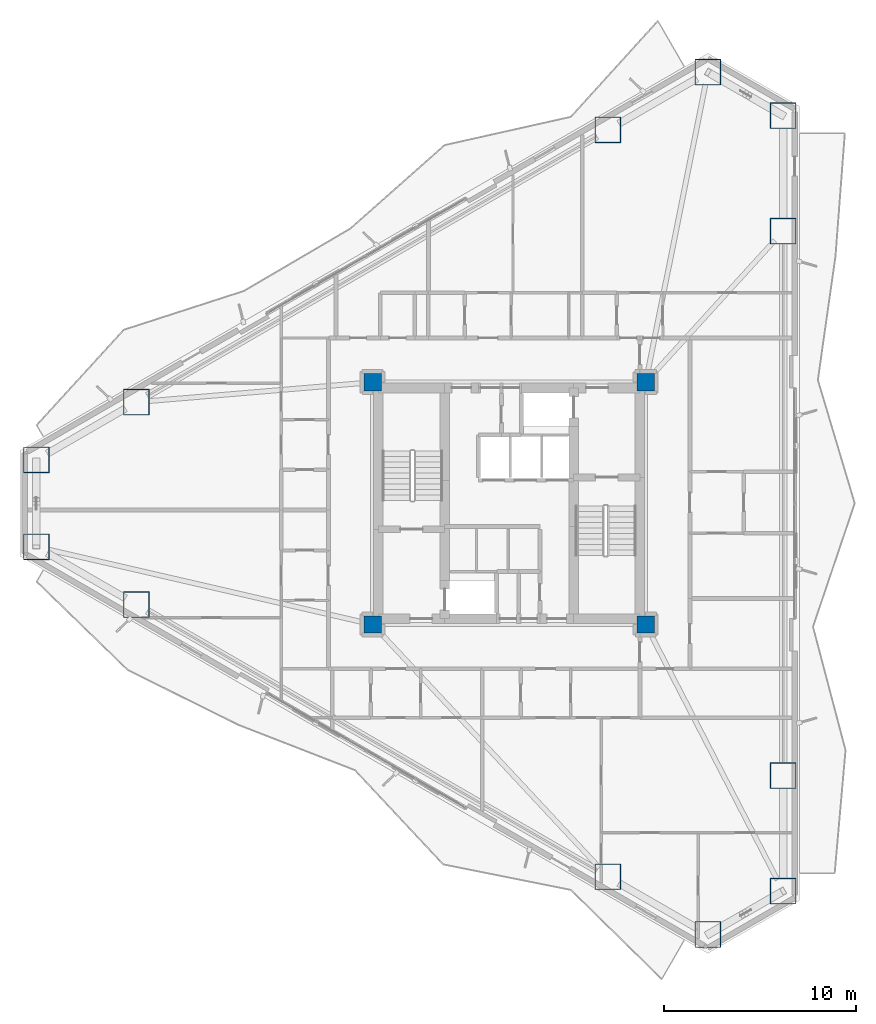
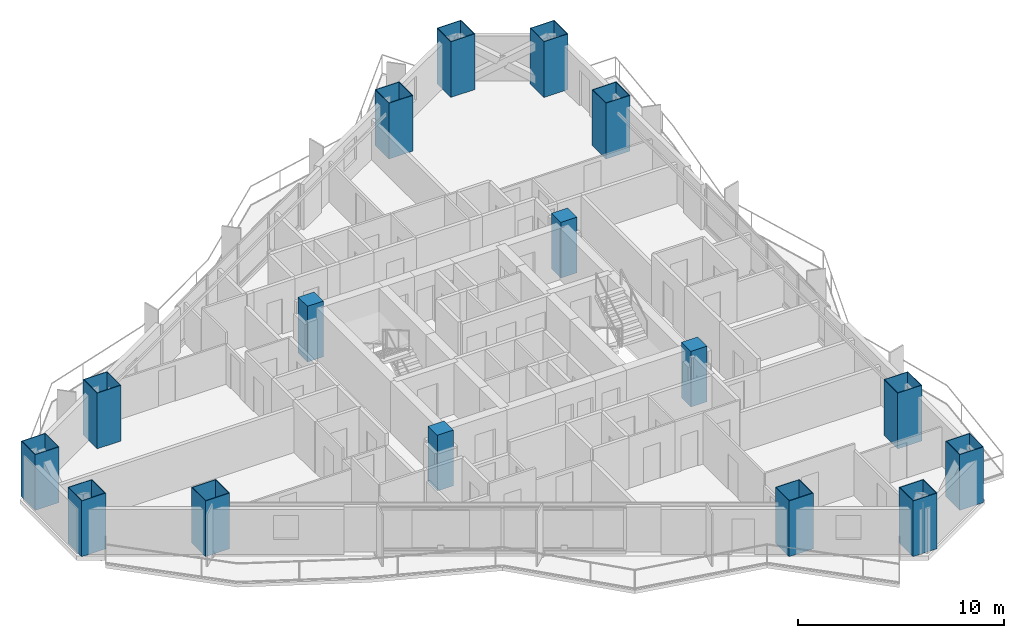
# One storey, part 1 of 18: 16 columns.
"""IFC4 building model written with IfcOpenShell, lengths in metres."""

from ifc_helpers import new_model, si_unit, direction, frame, origin, origin_2d, place, context, subcontext, project, spatial, rectangle, hollow_rectangle, extrude, material, material_profile, profile_set, type_object, element, save


model = new_model("IFC4")

# Units and contexts
model_context = context("Model", 3, precision=1e-05, world=origin(), true_north=direction((0.0, 1.0)))
body_context = subcontext(model_context, "Body", "Model", "MODEL_VIEW")
ifc_project = project(units=[si_unit("LENGTHUNIT", "METRE"), si_unit("AREAUNIT", "SQUARE_METRE"), si_unit("VOLUMEUNIT", "CUBIC_METRE"), si_unit("PLANEANGLEUNIT", "RADIAN"), si_unit("MASSUNIT", "GRAM", prefix="KILO")], contexts=[model_context])

# Site, building, storey
site_placement = place(None, origin())
site = spatial("IfcSite", under=ifc_project, at=site_placement, CompositionType="ELEMENT")
building_placement = place(site_placement, origin())
building = spatial("IfcBuilding", under=site, at=building_placement, Name="Mersakhor Tower and Convention Hall", CompositionType="ELEMENT")
storey_placement = place(building_placement, frame((0.0, 0.0, 52.199951171875)))
storey = spatial("IfcBuildingStorey", under=building, at=storey_placement, Name="L14", CompositionType="ELEMENT", Elevation=52.199951171875)

# Columns
ifc_material_1 = material(Name="Concrete C70/85 in S460M steel box", Category="concrete")
ifc_material_profile_1 = material_profile(ifc_material_1, hollow_rectangle(XDim=1.35009765625, YDim=1.35009765625, WallThickness=0.035888671875, at=origin_2d()), Name="SHS 1350x1350x36")
ifc_profile_set_1 = profile_set([ifc_material_profile_1], Name="Concrete C70/85 in S460M steel box")
column_type_1 = type_object("IfcColumnType", Name="COL-CFT-1350", PredefinedType="COLUMN", material=ifc_profile_set_1)
for number, where, z_axis, x_axis, name in (
    (1, (4.4130859375, 29.00927734375, 0.0), (0.0, 0.0, 1.0), (1.0, 0.0, 0.0), "L14 Perimeter Mega-Column MC-01"),
    (2, (9.61669921875, 32.013671875, 0.0), (0.0, 0.0, 1.0), (1.0, 0.0, 0.0), "L14 Perimeter Mega-Column MC-02"),
    (3, (34.13330078125, 46.168212890625, 0.0), (0.0, 0.0, 1.0), (1.0, 0.0, 0.0), "L14 Perimeter Mega-Column MC-03"),
    (4, (39.3369140625, 49.172607421875, 0.0), (0.0, 0.0, 1.0), (1.0, 0.0, 0.0), "L14 Perimeter Mega-Column MC-04"),
    (5, (43.25, 46.913330078125, 0.0), (0.0, 0.0, 1.0), (1.0, 0.0, 0.0), "L14 Perimeter Mega-Column MC-05"),
    (6, (43.25, 40.904541015625, 0.0), (0.0, 0.0, 1.0), (1.0, 0.0, 0.0), "L14 Perimeter Mega-Column MC-06"),
    (7, (43.25, 12.595458984375, 0.0), (0.0, 0.0, 1.0), (1.0, 0.0, 0.0), "L14 Perimeter Mega-Column MC-07"),
    (8, (43.25, 6.586669921875, 0.0), (0.0, 0.0, 1.0), (1.0, 0.0, 0.0), "L14 Perimeter Mega-Column MC-08"),
    (9, (39.3369140625, 4.327392578125, 0.0), (0.0, 0.0, 1.0), (1.0, 0.0, 0.0), "L14 Perimeter Mega-Column MC-09"),
    (10, (34.13330078125, 7.331787109375, 0.0), (0.0, 0.0, 1.0), (1.0, 0.0, 0.0), "L14 Perimeter Mega-Column MC-10"),
    (11, (9.61669921875, 21.486328125, 0.0), (0.0, 0.0, 1.0), (1.0, 0.0, 0.0), "L14 Perimeter Mega-Column MC-11"),
    (12, (4.4130859375, 24.49072265625, 0.0), (0.0, 0.0, 1.0), (1.0, 0.0, 0.0), "L14 Perimeter Mega-Column MC-12"),
):
    element("IfcColumn", number, at=place(storey_placement, frame(where, z_axis=z_axis, x_axis=x_axis)), inside=storey, type_object=column_type_1, Name=name, PredefinedType="COLUMN", context=body_context, shape_type="SweptSolid", body=[
        extrude(hollow_rectangle(XDim=1.35009765625, YDim=1.35009765625, WallThickness=0.035888671875, at=origin_2d()), origin(), (0.0, 0.0, 1.0), 3.300048828125),
    ])
ifc_material_2 = material(Name="Concrete C60/75", Category="concrete")
ifc_material_profile_2 = material_profile(ifc_material_2, rectangle(XDim=0.89990234375, YDim=0.89990234375, at=origin_2d()), Name="RC 900x900")
ifc_profile_set_2 = profile_set([ifc_material_profile_2], Name="Concrete C60/75")
column_type_2 = type_object("IfcColumnType", Name="COL-RC-900", PredefinedType="COLUMN", material=ifc_profile_set_2)
for number, where, z_axis, x_axis, name in (
    (13, (21.89990234375, 20.449951171875, 0.0), (0.0, 0.0, 1.0), (1.0, 0.0, 0.0), "L14 Core Corner Column CC-1"),
    (14, (21.89990234375, 33.050048828125, 0.0), (0.0, 0.0, 1.0), (1.0, 0.0, 0.0), "L14 Core Corner Column CC-2"),
    (15, (36.10009765625, 33.050048828125, 0.0), (0.0, 0.0, 1.0), (1.0, 0.0, 0.0), "L14 Core Corner Column CC-3"),
    (16, (36.10009765625, 20.449951171875, 0.0), (0.0, 0.0, 1.0), (1.0, 0.0, 0.0), "L14 Core Corner Column CC-4"),
):
    element("IfcColumn", number, at=place(storey_placement, frame(where, z_axis=z_axis, x_axis=x_axis)), inside=storey, type_object=column_type_2, Name=name, PredefinedType="COLUMN", context=body_context, shape_type="SweptSolid", body=[
        extrude(rectangle(XDim=0.89990234375, YDim=0.89990234375, at=origin_2d()), origin(), (0.0, 0.0, 1.0), 3.300048828125),
    ])

save(model, "model.ifc")
